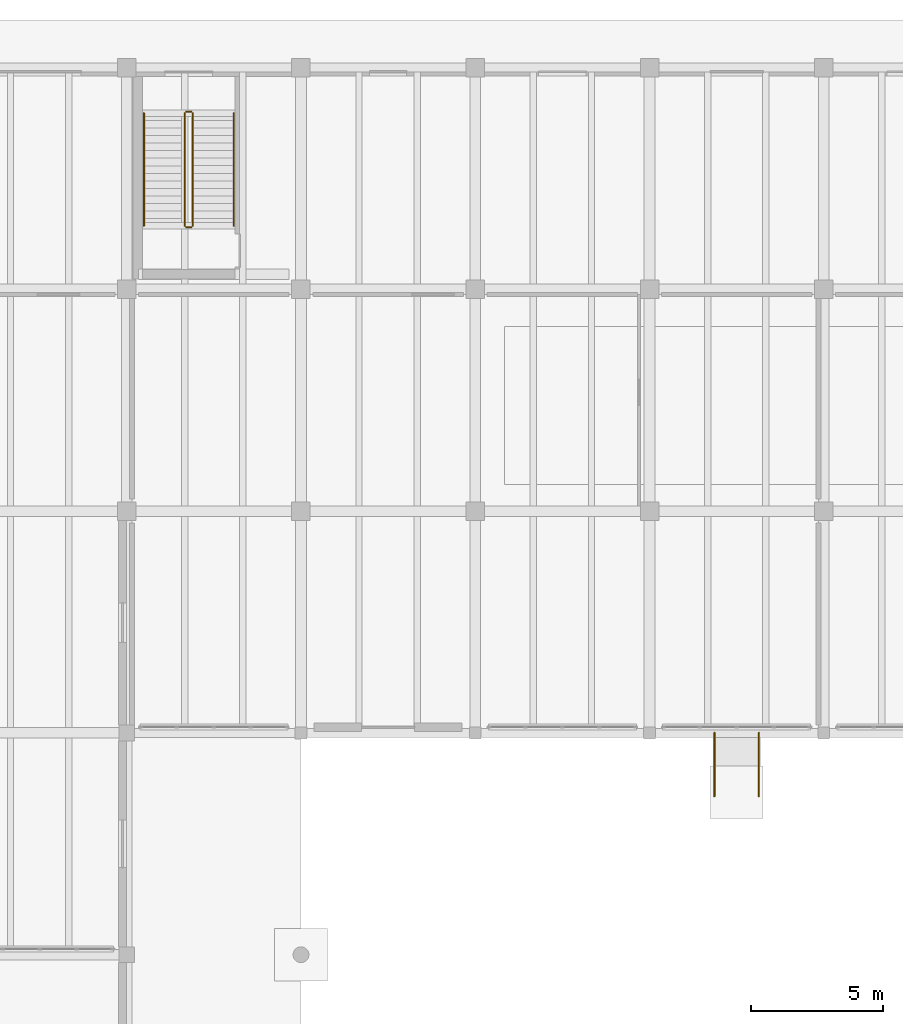
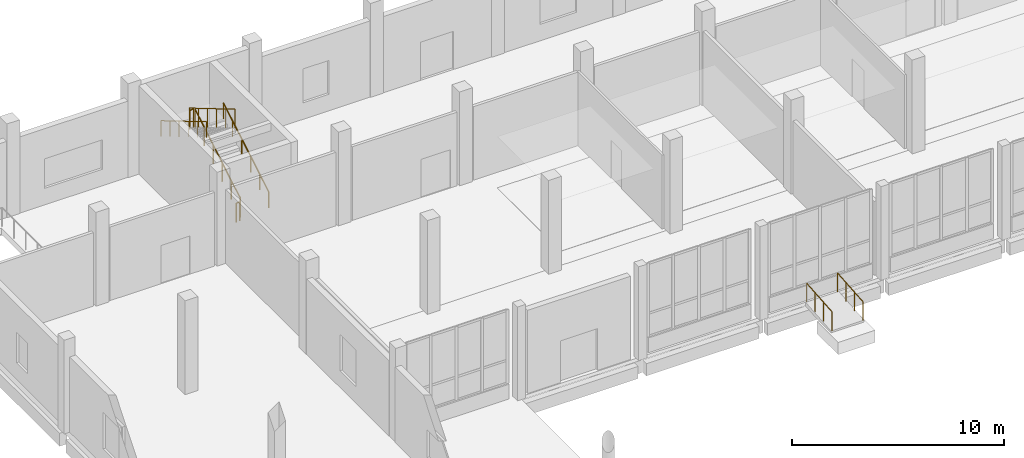
# One storey, part 59 of 64: 8 railings.
"""IFC4 building model written with IfcOpenShell, lengths in metres."""

from ifc_helpers import new_model, si_unit, direction, frame, origin, origin_2d, place, context, subcontext, project, spatial, circle, extrude, material, type_object, element, save


model = new_model("IFC4")

# Units and contexts
model_context = context("Model", 3, precision=1e-05, world=origin(), true_north=direction((0.0, 1.0)))
body_context = subcontext(model_context, "Body", "Model", "MODEL_VIEW")
ifc_project = project(units=[si_unit("LENGTHUNIT", "METRE"), si_unit("AREAUNIT", "SQUARE_METRE"), si_unit("VOLUMEUNIT", "CUBIC_METRE"), si_unit("PLANEANGLEUNIT", "RADIAN"), si_unit("MASSUNIT", "GRAM", prefix="KILO")], contexts=[model_context])

# Site, building, storey
site_placement = place(None, origin())
site = spatial("IfcSite", under=ifc_project, at=site_placement, CompositionType="ELEMENT")
building_placement = place(site_placement, origin())
building = spatial("IfcBuilding", under=site, at=building_placement, Name="Qaldarim Faculty of Natural and Applied Sciences", CompositionType="ELEMENT")
storey_placement = place(building_placement, origin())
storey = spatial("IfcBuildingStorey", under=building, at=storey_placement, Name="L00", CompositionType="ELEMENT", Elevation=0.0)

# Railings
ifc_material = material(Name="Architectural stainless steel 316", Category="steel")
railing_type_1 = type_object("IfcRailingType", Name="ExteriorGuardBalustrade-1100", PredefinedType="BALUSTRADE", material=ifc_material)
for number, where, name in (
    (1, (68.4599609375, 90.0, -0.199951171875), "Central square west accessible ramp handrail L"),
    (2, (70.139892578125, 90.0, -0.199951171875), "Central square west accessible ramp handrail R"),
):
    element("IfcRailing", number, at=place(storey_placement, frame(where)), inside=storey, type_object=railing_type_1, Name=name, PredefinedType="BALUSTRADE", context=body_context, shape_type="SweptSolid", body=[
        extrude(circle(Radius=0.02392578125, at=origin_2d()), frame((0.0, 0.0, 1.076171875), z_axis=(0.0, 0.996547156423, 0.083028700011), x_axis=(-1.0, 0.0, 0.0)), (0.0, 0.0, 1.0), 2.408203125),
        extrude(circle(Radius=0.02099609375, at=origin_2d()), origin(), (0.0, 0.0, 1.0), 1.052001953125),
        extrude(circle(Radius=0.02099609375, at=origin_2d()), frame((0.0, 0.800048828125, 0.066650390625)), (0.0, 0.0, 1.0), 1.052001953125),
        extrude(circle(Radius=0.02099609375, at=origin_2d()), frame((0.0, 1.599853515625, 0.13330078125)), (0.0, 0.0, 1.0), 1.052001953125),
        extrude(circle(Radius=0.02099609375, at=origin_2d()), frame((0.0, 2.39990234375, 0.199951171875)), (0.0, 0.0, 1.0), 1.052001953125),
    ])
railing_type_2 = type_object("IfcRailingType", Name="GuardBalustrade-1100", PredefinedType="BALUSTRADE", material=ifc_material)
railing_1_placement = place(storey_placement, frame((48.699951171875, 111.60009765625, 0.169921875)))
element("IfcRailing", 3, at=railing_1_placement, inside=storey, type_object=railing_type_2, Name="ST-B2 L00 stair well guard 1", PredefinedType="BALUSTRADE", context=body_context, shape_type="SweptSolid", body=[
    extrude(circle(Radius=0.02392578125, at=origin_2d()), frame((0.0, 0.0, 1.076171875), z_axis=(0.0, 0.860578001716, 0.509318665436), x_axis=(-1.0, 0.0, 0.0)), (0.0, 0.0, 1.0), 4.967529296875),
    extrude(circle(Radius=0.02099609375, at=origin_2d()), origin(), (0.0, 0.0, 1.0), 1.052001953125),
    extrude(circle(Radius=0.02099609375, at=origin_2d()), frame((0.0, 0.85498046875, 0.506103515625)), (0.0, 0.0, 1.0), 1.052001953125),
    extrude(circle(Radius=0.02099609375, at=origin_2d()), frame((0.0, 1.7099609375, 1.011962890625)), (0.0, 0.0, 1.0), 1.052001953125),
    extrude(circle(Radius=0.02099609375, at=origin_2d()), frame((0.0, 2.56494140625, 1.51806640625)), (0.0, 0.0, 1.0), 1.052001953125),
    extrude(circle(Radius=0.02099609375, at=origin_2d()), frame((0.0, 3.419921875, 2.02392578125)), (0.0, 0.0, 1.0), 1.052001953125),
    extrude(circle(Radius=0.02099609375, at=origin_2d()), frame((0.0, 4.27490234375, 2.530029296875)), (0.0, 0.0, 1.0), 1.052001953125),
])
railing_2_placement = place(storey_placement, frame((48.64990234375, 115.925048828125, 2.699951171875)))
element("IfcRailing", 4, at=railing_2_placement, inside=storey, type_object=railing_type_2, Name="ST-B2 L00 stair well guard 2", PredefinedType="BALUSTRADE", context=body_context, shape_type="SweptSolid", body=[
    extrude(circle(Radius=0.02392578125, at=origin_2d()), frame((0.0, 0.0, 1.076171875), z_axis=(-1.0, 0.0, 0.0), x_axis=(0.0, -1.0, 0.0)), (0.0, 0.0, 1.0), 0.199951171875),
    extrude(circle(Radius=0.02099609375, at=origin_2d()), origin(), (0.0, 0.0, 1.0), 1.052001953125),
    extrude(circle(Radius=0.02099609375, at=origin_2d()), frame((-0.199951171875, 0.0, 0.0)), (0.0, 0.0, 1.0), 1.052001953125),
])
railing_3_placement = place(storey_placement, frame((48.39990234375, 115.875, 2.8701171875)))
element("IfcRailing", 5, at=railing_3_placement, inside=storey, type_object=railing_type_2, Name="ST-B2 L00 stair well guard 3", PredefinedType="BALUSTRADE", context=body_context, shape_type="SweptSolid", body=[
    extrude(circle(Radius=0.02392578125, at=origin_2d()), frame((0.0, 0.0, 1.076171875), z_axis=(0.0, -0.860599543382, 0.509282265478), x_axis=(1.0, 0.0, 0.0)), (0.0, 0.0, 1.0), 4.96728515625),
    extrude(circle(Radius=0.02099609375, at=origin_2d()), origin(), (0.0, 0.0, 1.0), 1.052001953125),
    extrude(circle(Radius=0.02099609375, at=origin_2d()), frame((0.0, -0.85498046875, 0.505859375)), (0.0, 0.0, 1.0), 1.052001953125),
    extrude(circle(Radius=0.02099609375, at=origin_2d()), frame((0.0, -1.7099609375, 1.011962890625)), (0.0, 0.0, 1.0), 1.052001953125),
    extrude(circle(Radius=0.02099609375, at=origin_2d()), frame((0.0, -2.56494140625, 1.517822265625)), (0.0, 0.0, 1.0), 1.052001953125),
    extrude(circle(Radius=0.02099609375, at=origin_2d()), frame((0.0, -3.419921875, 2.02392578125)), (0.0, 0.0, 1.0), 1.052001953125),
    extrude(circle(Radius=0.02099609375, at=origin_2d()), frame((0.0, -4.27490234375, 2.52978515625)), (0.0, 0.0, 1.0), 1.052001953125),
])
railing_4_placement = place(storey_placement, frame((48.64990234375, 111.550048828125, 0.0)))
element("IfcRailing", 6, at=railing_4_placement, inside=storey, type_object=railing_type_2, Name="ST-B2 L00 stair well guard 4", PredefinedType="BALUSTRADE", context=body_context, shape_type="SweptSolid", body=[
    extrude(circle(Radius=0.02392578125, at=origin_2d()), frame((0.0, 0.0, 1.076171875), z_axis=(-1.0, 0.0, 0.0), x_axis=(0.0, -1.0, 0.0)), (0.0, 0.0, 1.0), 0.199951171875),
    extrude(circle(Radius=0.02099609375, at=origin_2d()), origin(), (0.0, 0.0, 1.0), 1.052001953125),
    extrude(circle(Radius=0.02099609375, at=origin_2d()), frame((-0.199951171875, 0.0, 0.0)), (0.0, 0.0, 1.0), 1.052001953125),
])
railing_type_3 = type_object("IfcRailingType", Name="StairHandrail-920", PredefinedType="HANDRAIL", material=ifc_material)
railing_5_placement = place(storey_placement, frame((50.25, 111.60009765625, 0.169921875)))
element("IfcRailing", 7, at=railing_5_placement, inside=storey, type_object=railing_type_3, Name="ST-B2 L00 stair handrail 1", PredefinedType="HANDRAIL", context=body_context, shape_type="SweptSolid", body=[
    extrude(circle(Radius=0.02392578125, at=origin_2d()), frame((0.0, 0.0, 0.89599609375), z_axis=(0.0, 0.860578001716, 0.509318665436), x_axis=(-1.0, 0.0, 0.0)), (0.0, 0.0, 1.0), 4.967529296875),
    extrude(circle(Radius=0.02099609375, at=origin_2d()), origin(), (0.0, 0.0, 1.0), 0.871826171875),
    extrude(circle(Radius=0.02099609375, at=origin_2d()), frame((0.0, 0.85498046875, 0.506103515625)), (0.0, 0.0, 1.0), 0.871826171875),
    extrude(circle(Radius=0.02099609375, at=origin_2d()), frame((0.0, 1.7099609375, 1.011962890625)), (0.0, 0.0, 1.0), 0.871826171875),
    extrude(circle(Radius=0.02099609375, at=origin_2d()), frame((0.0, 2.56494140625, 1.51806640625)), (0.0, 0.0, 1.0), 0.871826171875),
    extrude(circle(Radius=0.02099609375, at=origin_2d()), frame((0.0, 3.419921875, 2.02392578125)), (0.0, 0.0, 1.0), 0.871826171875),
    extrude(circle(Radius=0.02099609375, at=origin_2d()), frame((0.0, 4.27490234375, 2.530029296875)), (0.0, 0.0, 1.0), 0.871826171875),
])
railing_6_placement = place(storey_placement, frame((46.85009765625, 115.875, 2.8701171875)))
element("IfcRailing", 8, at=railing_6_placement, inside=storey, type_object=railing_type_3, Name="ST-B2 L00 stair handrail 2", PredefinedType="HANDRAIL", context=body_context, shape_type="SweptSolid", body=[
    extrude(circle(Radius=0.02392578125, at=origin_2d()), frame((0.0, 0.0, 0.89599609375), z_axis=(0.0, -0.860599543382, 0.509282265478), x_axis=(1.0, 0.0, 0.0)), (0.0, 0.0, 1.0), 4.96728515625),
    extrude(circle(Radius=0.02099609375, at=origin_2d()), origin(), (0.0, 0.0, 1.0), 0.871826171875),
    extrude(circle(Radius=0.02099609375, at=origin_2d()), frame((0.0, -0.85498046875, 0.505859375)), (0.0, 0.0, 1.0), 0.871826171875),
    extrude(circle(Radius=0.02099609375, at=origin_2d()), frame((0.0, -1.7099609375, 1.011962890625)), (0.0, 0.0, 1.0), 0.871826171875),
    extrude(circle(Radius=0.02099609375, at=origin_2d()), frame((0.0, -2.56494140625, 1.517822265625)), (0.0, 0.0, 1.0), 0.871826171875),
    extrude(circle(Radius=0.02099609375, at=origin_2d()), frame((0.0, -3.419921875, 2.02392578125)), (0.0, 0.0, 1.0), 0.871826171875),
    extrude(circle(Radius=0.02099609375, at=origin_2d()), frame((0.0, -4.27490234375, 2.52978515625)), (0.0, 0.0, 1.0), 0.871826171875),
])

save(model, "model.ifc")
